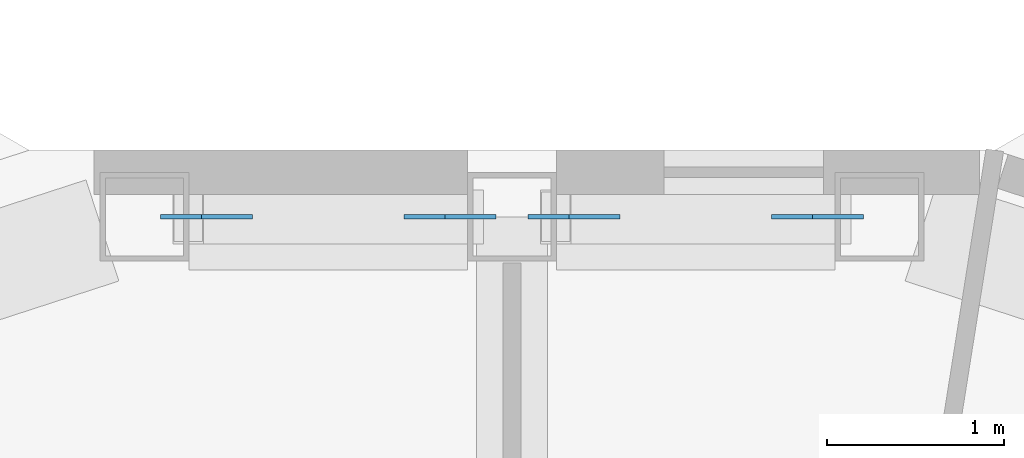
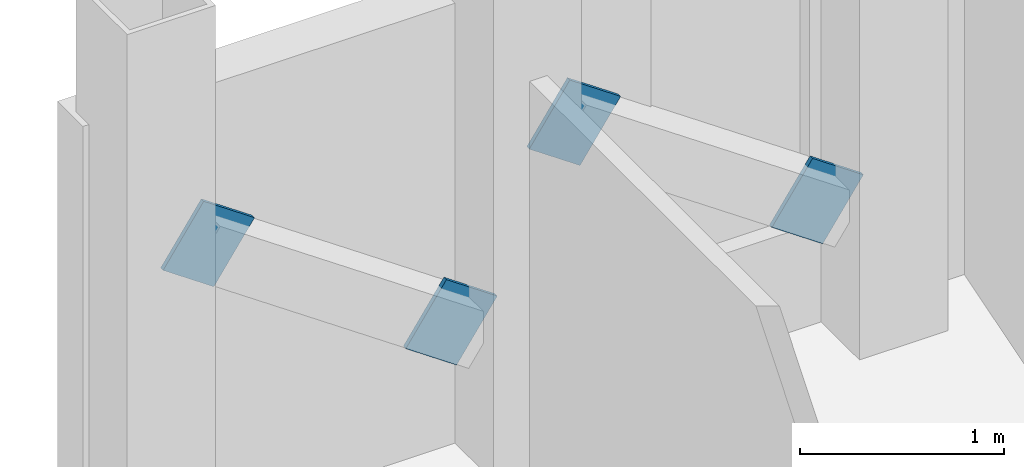
# One storey, part 21 of 27: 4 discrete accessories.
"""IFC4 building model written with IfcOpenShell, lengths in metres."""

from ifc_helpers import new_model, si_unit, direction, frame, origin, origin_2d, place, context, subcontext, project, spatial, rectangle, extrude, material, material_profile, profile_set, type_object, element, save


model = new_model("IFC4")

# Units and contexts
model_context = context("Model", 3, precision=1e-05, world=origin(), true_north=direction((0.0, 1.0)))
body_context = subcontext(model_context, "Body", "Model", "MODEL_VIEW")
ifc_project = project(units=[si_unit("LENGTHUNIT", "METRE"), si_unit("AREAUNIT", "SQUARE_METRE"), si_unit("VOLUMEUNIT", "CUBIC_METRE"), si_unit("PLANEANGLEUNIT", "RADIAN"), si_unit("MASSUNIT", "GRAM", prefix="KILO")], contexts=[model_context])

# Site, building, storey
site_placement = place(None, origin())
site = spatial("IfcSite", under=ifc_project, at=site_placement, CompositionType="ELEMENT")
building_placement = place(site_placement, origin())
building = spatial("IfcBuilding", under=site, at=building_placement, Name="Cormorant Prow Tower", CompositionType="ELEMENT")
storey_placement = place(building_placement, frame((0.0, 0.0, 361.0)))
storey = spatial("IfcBuildingStorey", under=building, at=storey_placement, Name="L80", CompositionType="ELEMENT", Elevation=361.0)

# Discrete accessories
ifc_material = material(Name="Structural steel ASTM A500 Gr C", Category="steel")
ifc_material_profile = material_profile(ifc_material, rectangle(XDim=0.02490234375, YDim=0.405029296875, at=origin_2d()), Name="Gusset plate 25x405")
ifc_profile_set = profile_set([ifc_material_profile], Name="Structural steel ASTM A500 Gr C")
discrete_accessory_type = type_object("IfcDiscreteAccessoryType", Name="Gusset plate 25x405", PredefinedType="BRACKET", material=ifc_profile_set)
for number, where, z_axis, x_axis, name in (
    (1, (1.580322265625, 31.219482421875, 0.941162109375), (0.822593864641, 0.0, -0.568629346635), (0.0, 1.0, 0.0), "Gusset plate GP3 L80.N00.g0"),
    (2, (0.493408203125, 31.219482421875, 1.692626953125), (-0.822593864641, 0.0, 0.568629346635), (0.0, -1.0, 0.0), "Gusset plate GP3 L80.N00.g1"),
    (3, (-0.493408203125, 31.219482421875, 0.941162109375), (0.822593864641, 0.0, -0.568629346635), (0.0, 1.0, 0.0), "Gusset plate GP3 L80.N01.g0"),
    (4, (-1.580322265625, 31.219482421875, 1.692626953125), (-0.822593864641, 0.0, 0.568629346635), (0.0, -1.0, 0.0), "Gusset plate GP3 L80.N01.g1"),
):
    element("IfcDiscreteAccessory", number, at=place(storey_placement, frame(where, z_axis=z_axis, x_axis=x_axis)), inside=storey, type_object=discrete_accessory_type, Name=name, PredefinedType="BRACKET", context=body_context, shape_type="SweptSolid", body=[
        extrude(rectangle(XDim=0.02490234375, YDim=0.405029296875, at=origin_2d()), origin(), (0.0, 0.0, 1.0), 0.349853515625),
    ])

save(model, "model.ifc")
